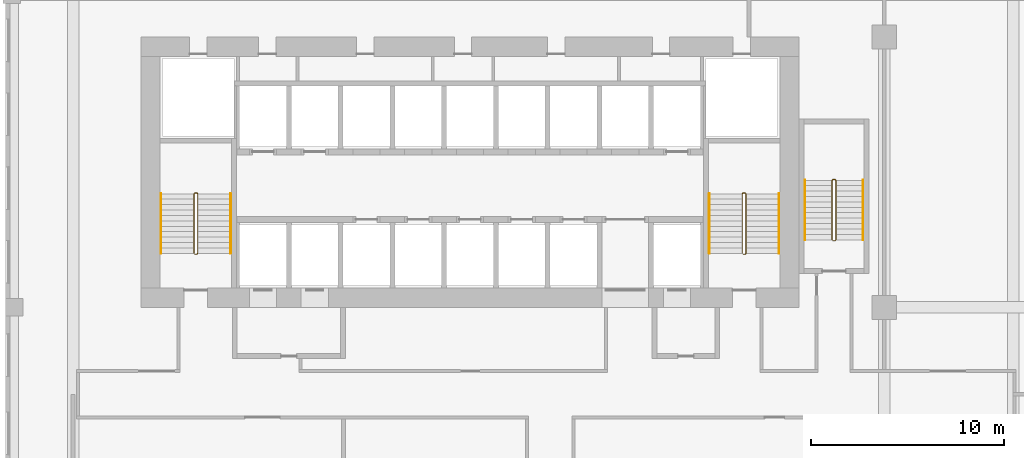
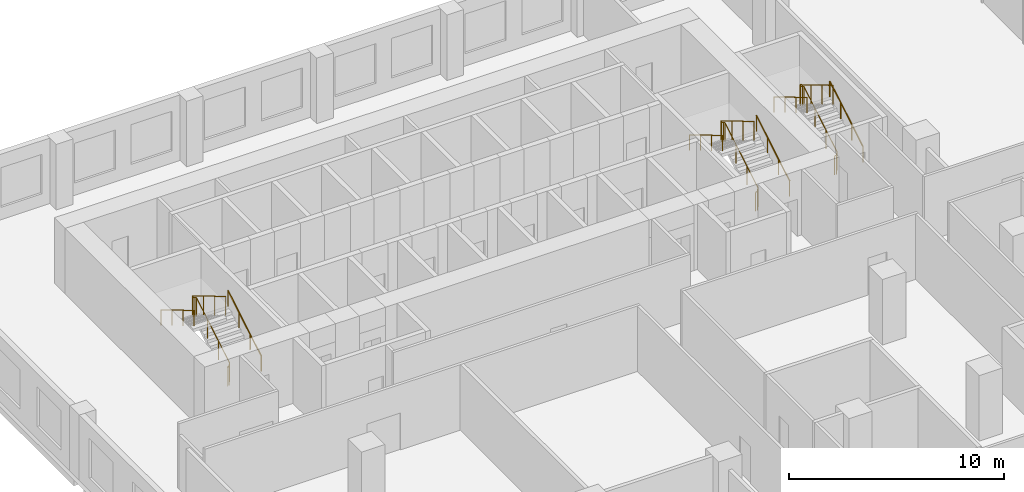
# One storey, part 27 of 28: 9 railings.
"""IFC4 building model written with IfcOpenShell, lengths in metres."""

from ifc_helpers import new_model, si_unit, direction, frame, origin, origin_2d, place, context, subcontext, project, spatial, circle, extrude, material, type_object, element, save


model = new_model("IFC4")

# Units and contexts
model_context = context("Model", 3, precision=1e-05, world=origin(), true_north=direction((0.0, 1.0)))
body_context = subcontext(model_context, "Body", "Model", "MODEL_VIEW")
ifc_project = project(units=[si_unit("LENGTHUNIT", "METRE"), si_unit("AREAUNIT", "SQUARE_METRE"), si_unit("VOLUMEUNIT", "CUBIC_METRE"), si_unit("PLANEANGLEUNIT", "RADIAN"), si_unit("MASSUNIT", "GRAM", prefix="KILO")], contexts=[model_context])

# Site, building, storey
site_placement = place(None, origin())
site = spatial("IfcSite", under=ifc_project, at=site_placement, CompositionType="ELEMENT")
building_placement = place(site_placement, origin())
building = spatial("IfcBuilding", under=site, at=building_placement, Name="Kilnfold Tower and Market Hall", CompositionType="ELEMENT")
storey_placement = place(building_placement, frame((0.0, 0.0, 75.199951171875)))
storey = spatial("IfcBuildingStorey", under=building, at=storey_placement, Name="L17", CompositionType="ELEMENT", Elevation=75.199951171875)

# Railings
ifc_material_1 = material(Name="Stainless steel 316", Category="steel")
railing_type_1 = type_object("IfcRailingType", Name="CORE STAIR GUARD 1100", PredefinedType="GUARDRAIL", material=ifc_material_1)
railing_1_placement = place(storey_placement, frame((-13.199951171875, 10.75, 0.0)))
element("IfcRailing", 1, at=railing_1_placement, inside=storey, type_object=railing_type_1, Name="L17 ST1 stair guard 1", PredefinedType="GUARDRAIL", context=body_context, shape_type="SweptSolid", body=[
    extrude(circle(Radius=0.02392578125, at=origin_2d()), frame((0.0, 0.0, 1.076171875), z_axis=(1.0, 0.0, 0.0), x_axis=(0.0, 1.0, 0.0)), (0.0, 0.0, 1.0), 0.099853515625),
    extrude(circle(Radius=0.02392578125, at=origin_2d()), frame((0.099853515625, 0.0, 1.076171875), z_axis=(0.27628659633, 0.27628659633, 0.920506074601), x_axis=(-0.707106781187, 0.707106781187, 0.0)), (0.0, 0.0, 1.0), 0.18115234375),
    extrude(circle(Radius=0.02392578125, at=origin_2d()), frame((0.14990234375, 0.050048828125, 1.24267578125), z_axis=(0.0, 0.859290745958, 0.51148745235), x_axis=(-1.0, 0.0, 0.0)), (0.0, 0.0, 1.0), 3.584228515625),
    extrude(circle(Radius=0.02392578125, at=origin_2d()), frame((0.14990234375, 3.1298828125, 3.076171875), z_axis=(-0.707106781187, 0.707106781187, 0.0), x_axis=(-0.707106781187, -0.707106781187, 0.0)), (0.0, 0.0, 1.0), 0.07080078125),
    extrude(circle(Radius=0.02392578125, at=origin_2d()), frame((0.099853515625, 3.179931640625, 3.076171875), z_axis=(-1.0, 0.0, 0.0), x_axis=(0.0, -1.0, 0.0)), (0.0, 0.0, 1.0), 0.099853515625),
    extrude(circle(Radius=0.02392578125, at=origin_2d()), frame((0.0, 3.179931640625, 3.076171875), z_axis=(-0.27628659633, -0.27628659633, 0.920506074601), x_axis=(0.707106781187, -0.707106781187, 0.0)), (0.0, 0.0, 1.0), 0.18115234375),
    extrude(circle(Radius=0.02392578125, at=origin_2d()), frame((-0.050048828125, 3.1298828125, 3.24267578125), z_axis=(0.0, -0.859290745958, 0.51148745235), x_axis=(1.0, 0.0, 0.0)), (0.0, 0.0, 1.0), 3.584228515625),
    extrude(circle(Radius=0.02099609375, at=origin_2d()), origin(), (0.0, 0.0, 1.0), 1.052001953125),
    extrude(circle(Radius=0.02099609375, at=origin_2d()), frame((0.099853515625, 0.0, 0.0)), (0.0, 0.0, 1.0), 1.052001953125),
    extrude(circle(Radius=0.02099609375, at=origin_2d()), frame((0.14990234375, 0.050048828125, 0.166748046875)), (0.0, 0.0, 1.0), 1.052001953125),
    extrude(circle(Radius=0.02099609375, at=origin_2d()), frame((0.14990234375, 1.07666015625, 0.77783203125)), (0.0, 0.0, 1.0), 1.052001953125),
    extrude(circle(Radius=0.02099609375, at=origin_2d()), frame((0.14990234375, 2.103271484375, 1.388916015625)), (0.0, 0.0, 1.0), 1.052001953125),
    extrude(circle(Radius=0.02099609375, at=origin_2d()), frame((0.14990234375, 3.1298828125, 2.0)), (0.0, 0.0, 1.0), 1.052001953125),
    extrude(circle(Radius=0.02099609375, at=origin_2d()), frame((0.099853515625, 3.179931640625, 2.0)), (0.0, 0.0, 1.0), 1.052001953125),
    extrude(circle(Radius=0.02099609375, at=origin_2d()), frame((0.0, 3.179931640625, 2.0)), (0.0, 0.0, 1.0), 1.052001953125),
    extrude(circle(Radius=0.02099609375, at=origin_2d()), frame((-0.050048828125, 3.1298828125, 2.166748046875)), (0.0, 0.0, 1.0), 1.052001953125),
    extrude(circle(Radius=0.02099609375, at=origin_2d()), frame((-0.050048828125, 2.103271484375, 2.77783203125)), (0.0, 0.0, 1.0), 1.052001953125),
    extrude(circle(Radius=0.02099609375, at=origin_2d()), frame((-0.050048828125, 1.07666015625, 3.388916015625)), (0.0, 0.0, 1.0), 1.052001953125),
    extrude(circle(Radius=0.02099609375, at=origin_2d()), frame((-0.050048828125, 0.050048828125, 4.0)), (0.0, 0.0, 1.0), 1.052001953125),
])
railing_2_placement = place(storey_placement, frame((15.199951171875, 10.75, 0.0)))
element("IfcRailing", 2, at=railing_2_placement, inside=storey, type_object=railing_type_1, Name="L17 ST2 stair guard 1", PredefinedType="GUARDRAIL", context=body_context, shape_type="SweptSolid", body=[
    extrude(circle(Radius=0.02392578125, at=origin_2d()), frame((0.0, 0.0, 1.076171875), z_axis=(1.0, 0.0, 0.0), x_axis=(0.0, 1.0, 0.0)), (0.0, 0.0, 1.0), 0.10009765625),
    extrude(circle(Radius=0.02392578125, at=origin_2d()), frame((0.10009765625, 0.0, 1.076171875), z_axis=(0.27628659633, 0.27628659633, 0.920506074601), x_axis=(-0.707106781187, 0.707106781187, 0.0)), (0.0, 0.0, 1.0), 0.18115234375),
    extrude(circle(Radius=0.02392578125, at=origin_2d()), frame((0.150146484375, 0.050048828125, 1.24267578125), z_axis=(0.0, 0.859290745958, 0.51148745235), x_axis=(-1.0, 0.0, 0.0)), (0.0, 0.0, 1.0), 3.584228515625),
    extrude(circle(Radius=0.02392578125, at=origin_2d()), frame((0.150146484375, 3.1298828125, 3.076171875), z_axis=(-0.707106781187, 0.707106781187, 0.0), x_axis=(-0.707106781187, -0.707106781187, 0.0)), (0.0, 0.0, 1.0), 0.07080078125),
    extrude(circle(Radius=0.02392578125, at=origin_2d()), frame((0.10009765625, 3.179931640625, 3.076171875), z_axis=(-1.0, 0.0, 0.0), x_axis=(0.0, -1.0, 0.0)), (0.0, 0.0, 1.0), 0.10009765625),
    extrude(circle(Radius=0.02392578125, at=origin_2d()), frame((0.0, 3.179931640625, 3.076171875), z_axis=(-0.27628659633, -0.27628659633, 0.920506074601), x_axis=(0.707106781187, -0.707106781187, 0.0)), (0.0, 0.0, 1.0), 0.18115234375),
    extrude(circle(Radius=0.02392578125, at=origin_2d()), frame((-0.050048828125, 3.1298828125, 3.24267578125), z_axis=(0.0, -0.859290745958, 0.51148745235), x_axis=(1.0, 0.0, 0.0)), (0.0, 0.0, 1.0), 3.584228515625),
    extrude(circle(Radius=0.02099609375, at=origin_2d()), origin(), (0.0, 0.0, 1.0), 1.052001953125),
    extrude(circle(Radius=0.02099609375, at=origin_2d()), frame((0.10009765625, 0.0, 0.0)), (0.0, 0.0, 1.0), 1.052001953125),
    extrude(circle(Radius=0.02099609375, at=origin_2d()), frame((0.150146484375, 0.050048828125, 0.166748046875)), (0.0, 0.0, 1.0), 1.052001953125),
    extrude(circle(Radius=0.02099609375, at=origin_2d()), frame((0.150146484375, 1.07666015625, 0.77783203125)), (0.0, 0.0, 1.0), 1.052001953125),
    extrude(circle(Radius=0.02099609375, at=origin_2d()), frame((0.150146484375, 2.103271484375, 1.388916015625)), (0.0, 0.0, 1.0), 1.052001953125),
    extrude(circle(Radius=0.02099609375, at=origin_2d()), frame((0.150146484375, 3.1298828125, 2.0)), (0.0, 0.0, 1.0), 1.052001953125),
    extrude(circle(Radius=0.02099609375, at=origin_2d()), frame((0.10009765625, 3.179931640625, 2.0)), (0.0, 0.0, 1.0), 1.052001953125),
    extrude(circle(Radius=0.02099609375, at=origin_2d()), frame((0.0, 3.179931640625, 2.0)), (0.0, 0.0, 1.0), 1.052001953125),
    extrude(circle(Radius=0.02099609375, at=origin_2d()), frame((-0.050048828125, 3.1298828125, 2.166748046875)), (0.0, 0.0, 1.0), 1.052001953125),
    extrude(circle(Radius=0.02099609375, at=origin_2d()), frame((-0.050048828125, 2.103271484375, 2.77783203125)), (0.0, 0.0, 1.0), 1.052001953125),
    extrude(circle(Radius=0.02099609375, at=origin_2d()), frame((-0.050048828125, 1.07666015625, 3.388916015625)), (0.0, 0.0, 1.0), 1.052001953125),
    extrude(circle(Radius=0.02099609375, at=origin_2d()), frame((-0.050048828125, 0.050048828125, 4.0)), (0.0, 0.0, 1.0), 1.052001953125),
])
railing_3_placement = place(storey_placement, frame((19.85009765625, 11.449951171875, 0.0)))
element("IfcRailing", 3, at=railing_3_placement, inside=storey, type_object=railing_type_1, Name="L17 ST5 stair guard 1", PredefinedType="GUARDRAIL", context=body_context, shape_type="SweptSolid", body=[
    extrude(circle(Radius=0.02392578125, at=origin_2d()), frame((0.0, 0.0, 1.076171875), z_axis=(1.0, 0.0, 0.0), x_axis=(0.0, 1.0, 0.0)), (0.0, 0.0, 1.0), 0.099853515625),
    extrude(circle(Radius=0.02392578125, at=origin_2d()), frame((0.099853515625, 0.0, 1.076171875), z_axis=(0.27628659633, 0.27628659633, 0.920506074601), x_axis=(-0.707106781187, 0.707106781187, 0.0)), (0.0, 0.0, 1.0), 0.18115234375),
    extrude(circle(Radius=0.02392578125, at=origin_2d()), frame((0.14990234375, 0.050048828125, 1.24267578125), z_axis=(0.0, 0.859308565015, 0.511457515432), x_axis=(-1.0, 0.0, 0.0)), (0.0, 0.0, 1.0), 3.58447265625),
    extrude(circle(Radius=0.02392578125, at=origin_2d()), frame((0.14990234375, 3.130126953125, 3.076171875), z_axis=(-0.708833529934, 0.705375805398, 0.0), x_axis=(-0.705375805398, -0.708833529934, 0.0)), (0.0, 0.0, 1.0), 0.070556640625),
    extrude(circle(Radius=0.02392578125, at=origin_2d()), frame((0.099853515625, 3.179931640625, 3.076171875), z_axis=(-1.0, 0.0, 0.0), x_axis=(0.0, -1.0, 0.0)), (0.0, 0.0, 1.0), 0.099853515625),
    extrude(circle(Radius=0.02392578125, at=origin_2d()), frame((0.0, 3.179931640625, 3.076171875), z_axis=(-0.276389281352, -0.275041040955, 0.920848191041), x_axis=(0.705375805398, -0.708833529934, 0.0)), (0.0, 0.0, 1.0), 0.18115234375),
    extrude(circle(Radius=0.02392578125, at=origin_2d()), frame((-0.050048828125, 3.130126953125, 3.24267578125), z_axis=(0.0, -0.859308565015, 0.511457515432), x_axis=(1.0, 0.0, 0.0)), (0.0, 0.0, 1.0), 3.58447265625),
    extrude(circle(Radius=0.02099609375, at=origin_2d()), origin(), (0.0, 0.0, 1.0), 1.052001953125),
    extrude(circle(Radius=0.02099609375, at=origin_2d()), frame((0.099853515625, 0.0, 0.0)), (0.0, 0.0, 1.0), 1.052001953125),
    extrude(circle(Radius=0.02099609375, at=origin_2d()), frame((0.14990234375, 0.050048828125, 0.166748046875)), (0.0, 0.0, 1.0), 1.052001953125),
    extrude(circle(Radius=0.02099609375, at=origin_2d()), frame((0.14990234375, 1.07666015625, 0.77783203125)), (0.0, 0.0, 1.0), 1.052001953125),
    extrude(circle(Radius=0.02099609375, at=origin_2d()), frame((0.14990234375, 2.103515625, 1.388916015625)), (0.0, 0.0, 1.0), 1.052001953125),
    extrude(circle(Radius=0.02099609375, at=origin_2d()), frame((0.14990234375, 3.130126953125, 2.0)), (0.0, 0.0, 1.0), 1.052001953125),
    extrude(circle(Radius=0.02099609375, at=origin_2d()), frame((0.099853515625, 3.179931640625, 2.0)), (0.0, 0.0, 1.0), 1.052001953125),
    extrude(circle(Radius=0.02099609375, at=origin_2d()), frame((0.0, 3.179931640625, 2.0)), (0.0, 0.0, 1.0), 1.052001953125),
    extrude(circle(Radius=0.02099609375, at=origin_2d()), frame((-0.050048828125, 3.130126953125, 2.166748046875)), (0.0, 0.0, 1.0), 1.052001953125),
    extrude(circle(Radius=0.02099609375, at=origin_2d()), frame((-0.050048828125, 2.103515625, 2.77783203125)), (0.0, 0.0, 1.0), 1.052001953125),
    extrude(circle(Radius=0.02099609375, at=origin_2d()), frame((-0.050048828125, 1.07666015625, 3.388916015625)), (0.0, 0.0, 1.0), 1.052001953125),
    extrude(circle(Radius=0.02099609375, at=origin_2d()), frame((-0.050048828125, 0.050048828125, 4.0)), (0.0, 0.0, 1.0), 1.052001953125),
])
ifc_material_2 = material(Name="Stainless steel 316", Category="steel")
railing_type_2 = type_object("IfcRailingType", Name="CORE STAIR HANDRAIL 900", PredefinedType="HANDRAIL", material=ifc_material_2)
railing_4_placement = place(storey_placement, frame((-11.35009765625, 10.800048828125, 0.166748046875)))
element("IfcRailing", 4, at=railing_4_placement, inside=storey, type_object=railing_type_2, Name="L17 ST1 stair handrail 1", PredefinedType="HANDRAIL", context=body_context, shape_type="SweptSolid", body=[
    extrude(circle(Radius=0.02392578125, at=origin_2d()), frame((0.0, 0.0, 0.8759765625), z_axis=(0.0, 0.859290745958, 0.51148745235), x_axis=(-1.0, 0.0, 0.0)), (0.0, 0.0, 1.0), 3.584228515625),
    extrude(circle(Radius=0.02099609375, at=origin_2d()), origin(), (0.0, 0.0, 1.0), 0.851806640625),
    extrude(circle(Radius=0.02099609375, at=origin_2d()), frame((0.0, 1.026611328125, 0.611083984375)), (0.0, 0.0, 1.0), 0.851806640625),
    extrude(circle(Radius=0.02099609375, at=origin_2d()), frame((0.0, 2.05322265625, 1.22216796875)), (0.0, 0.0, 1.0), 0.851806640625),
    extrude(circle(Radius=0.02099609375, at=origin_2d()), frame((0.0, 3.079833984375, 1.833251953125)), (0.0, 0.0, 1.0), 0.851806640625),
])
railing_5_placement = place(storey_placement, frame((-14.949951171875, 13.8798828125, 2.166748046875)))
element("IfcRailing", 5, at=railing_5_placement, inside=storey, type_object=railing_type_2, Name="L17 ST1 stair handrail 2", PredefinedType="HANDRAIL", context=body_context, shape_type="SweptSolid", body=[
    extrude(circle(Radius=0.02392578125, at=origin_2d()), frame((0.0, 0.0, 0.8759765625), z_axis=(0.0, -0.859290745958, 0.51148745235), x_axis=(1.0, 0.0, 0.0)), (0.0, 0.0, 1.0), 3.584228515625),
    extrude(circle(Radius=0.02099609375, at=origin_2d()), origin(), (0.0, 0.0, 1.0), 0.851806640625),
    extrude(circle(Radius=0.02099609375, at=origin_2d()), frame((0.0, -1.026611328125, 0.611083984375)), (0.0, 0.0, 1.0), 0.851806640625),
    extrude(circle(Radius=0.02099609375, at=origin_2d()), frame((0.0, -2.05322265625, 1.22216796875)), (0.0, 0.0, 1.0), 0.851806640625),
    extrude(circle(Radius=0.02099609375, at=origin_2d()), frame((0.0, -3.079833984375, 1.833251953125)), (0.0, 0.0, 1.0), 0.851806640625),
])
railing_6_placement = place(storey_placement, frame((17.050048828125, 10.800048828125, 0.166748046875)))
element("IfcRailing", 6, at=railing_6_placement, inside=storey, type_object=railing_type_2, Name="L17 ST2 stair handrail 1", PredefinedType="HANDRAIL", context=body_context, shape_type="SweptSolid", body=[
    extrude(circle(Radius=0.02392578125, at=origin_2d()), frame((0.0, 0.0, 0.8759765625), z_axis=(0.0, 0.859290745958, 0.51148745235), x_axis=(-1.0, 0.0, 0.0)), (0.0, 0.0, 1.0), 3.584228515625),
    extrude(circle(Radius=0.02099609375, at=origin_2d()), origin(), (0.0, 0.0, 1.0), 0.851806640625),
    extrude(circle(Radius=0.02099609375, at=origin_2d()), frame((0.0, 1.026611328125, 0.611083984375)), (0.0, 0.0, 1.0), 0.851806640625),
    extrude(circle(Radius=0.02099609375, at=origin_2d()), frame((0.0, 2.05322265625, 1.22216796875)), (0.0, 0.0, 1.0), 0.851806640625),
    extrude(circle(Radius=0.02099609375, at=origin_2d()), frame((0.0, 3.079833984375, 1.833251953125)), (0.0, 0.0, 1.0), 0.851806640625),
])
railing_7_placement = place(storey_placement, frame((13.449951171875, 13.8798828125, 2.166748046875)))
element("IfcRailing", 7, at=railing_7_placement, inside=storey, type_object=railing_type_2, Name="L17 ST2 stair handrail 2", PredefinedType="HANDRAIL", context=body_context, shape_type="SweptSolid", body=[
    extrude(circle(Radius=0.02392578125, at=origin_2d()), frame((0.0, 0.0, 0.8759765625), z_axis=(0.0, -0.859290745958, 0.51148745235), x_axis=(1.0, 0.0, 0.0)), (0.0, 0.0, 1.0), 3.584228515625),
    extrude(circle(Radius=0.02099609375, at=origin_2d()), origin(), (0.0, 0.0, 1.0), 0.851806640625),
    extrude(circle(Radius=0.02099609375, at=origin_2d()), frame((0.0, -1.026611328125, 0.611083984375)), (0.0, 0.0, 1.0), 0.851806640625),
    extrude(circle(Radius=0.02099609375, at=origin_2d()), frame((0.0, -2.05322265625, 1.22216796875)), (0.0, 0.0, 1.0), 0.851806640625),
    extrude(circle(Radius=0.02099609375, at=origin_2d()), frame((0.0, -3.079833984375, 1.833251953125)), (0.0, 0.0, 1.0), 0.851806640625),
])
railing_8_placement = place(storey_placement, frame((21.39990234375, 11.5, 0.166748046875)))
element("IfcRailing", 8, at=railing_8_placement, inside=storey, type_object=railing_type_2, Name="L17 ST5 stair handrail 1", PredefinedType="HANDRAIL", context=body_context, shape_type="SweptSolid", body=[
    extrude(circle(Radius=0.02392578125, at=origin_2d()), frame((0.0, 0.0, 0.8759765625), z_axis=(0.0, 0.859308565015, 0.511457515432), x_axis=(-1.0, 0.0, 0.0)), (0.0, 0.0, 1.0), 3.58447265625),
    extrude(circle(Radius=0.02099609375, at=origin_2d()), origin(), (0.0, 0.0, 1.0), 0.851806640625),
    extrude(circle(Radius=0.02099609375, at=origin_2d()), frame((0.0, 1.026611328125, 0.611083984375)), (0.0, 0.0, 1.0), 0.851806640625),
    extrude(circle(Radius=0.02099609375, at=origin_2d()), frame((0.0, 2.053466796875, 1.22216796875)), (0.0, 0.0, 1.0), 0.851806640625),
    extrude(circle(Radius=0.02099609375, at=origin_2d()), frame((0.0, 3.080078125, 1.833251953125)), (0.0, 0.0, 1.0), 0.851806640625),
])
railing_9_placement = place(storey_placement, frame((18.39990234375, 14.580078125, 2.166748046875)))
element("IfcRailing", 9, at=railing_9_placement, inside=storey, type_object=railing_type_2, Name="L17 ST5 stair handrail 2", PredefinedType="HANDRAIL", context=body_context, shape_type="SweptSolid", body=[
    extrude(circle(Radius=0.02392578125, at=origin_2d()), frame((0.0, 0.0, 0.8759765625), z_axis=(0.0, -0.859308565015, 0.511457515432), x_axis=(1.0, 0.0, 0.0)), (0.0, 0.0, 1.0), 3.58447265625),
    extrude(circle(Radius=0.02099609375, at=origin_2d()), origin(), (0.0, 0.0, 1.0), 0.851806640625),
    extrude(circle(Radius=0.02099609375, at=origin_2d()), frame((0.0, -1.026611328125, 0.611083984375)), (0.0, 0.0, 1.0), 0.851806640625),
    extrude(circle(Radius=0.02099609375, at=origin_2d()), frame((0.0, -2.053466796875, 1.22216796875)), (0.0, 0.0, 1.0), 0.851806640625),
    extrude(circle(Radius=0.02099609375, at=origin_2d()), frame((0.0, -3.080078125, 1.833251953125)), (0.0, 0.0, 1.0), 0.851806640625),
])

save(model, "model.ifc")
